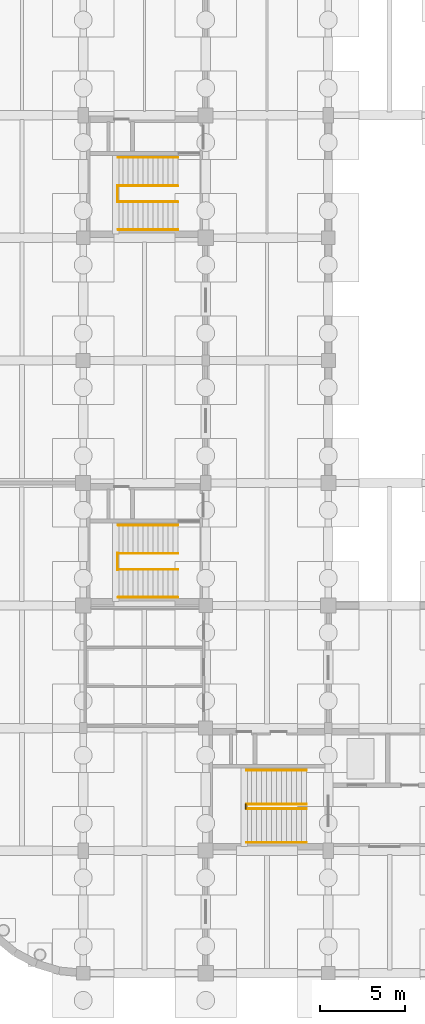
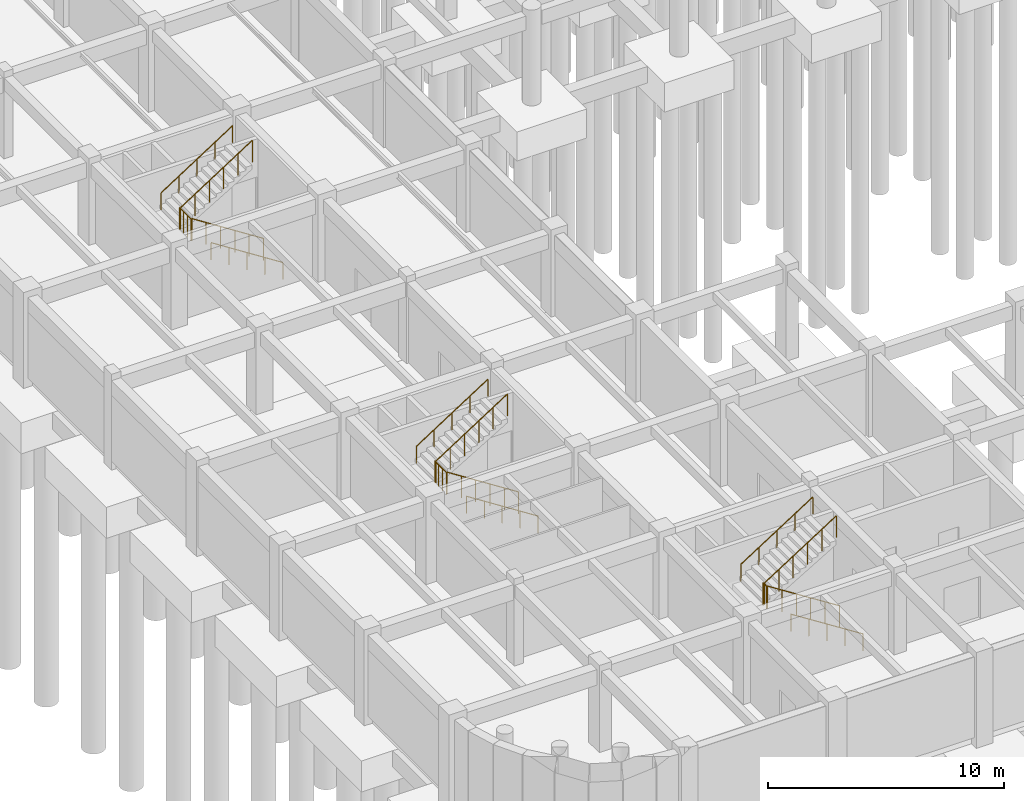
# One storey, part 44 of 47: 15 railings.
"""IFC4 building model written with IfcOpenShell, lengths in metres."""

from ifc_helpers import new_model, si_unit, direction, frame, origin, origin_2d, place, context, subcontext, project, spatial, circle, extrude, material, type_object, element, save


model = new_model("IFC4")

# Units and contexts
model_context = context("Model", 3, precision=1e-05, world=origin(), true_north=direction((0.0, 1.0)))
body_context = subcontext(model_context, "Body", "Model", "MODEL_VIEW")
ifc_project = project(units=[si_unit("LENGTHUNIT", "METRE"), si_unit("AREAUNIT", "SQUARE_METRE"), si_unit("VOLUMEUNIT", "CUBIC_METRE"), si_unit("PLANEANGLEUNIT", "RADIAN"), si_unit("MASSUNIT", "GRAM", prefix="KILO")], contexts=[model_context])

# Site, building, storey
site_placement = place(None, origin())
site = spatial("IfcSite", under=ifc_project, at=site_placement, CompositionType="ELEMENT")
building_placement = place(site_placement, origin())
building = spatial("IfcBuilding", under=site, at=building_placement, Name="Thalmaran Polytechnic", CompositionType="ELEMENT")
storey_placement = place(building_placement, frame((0.0, 0.0, -4.5)))
storey = spatial("IfcBuildingStorey", under=building, at=storey_placement, Name="B1", CompositionType="ELEMENT", Elevation=-4.5)

# Railings
ifc_material = material(Name="Stainless steel 316", Category="steel")
railing_type_1 = type_object("IfcRailingType", Name="RL-GR01", PredefinedType="GUARDRAIL", material=ifc_material)
railing_1_placement = place(storey_placement, frame((20.320068359375, 9.659912109375, 0.0)))
element("IfcRailing", 1, at=railing_1_placement, inside=storey, type_object=railing_type_1, Name="ST1 B1 Lower Flight Guardrail", PredefinedType="GUARDRAIL", context=body_context, shape_type="SweptSolid", body=[
    extrude(circle(Radius=0.02392578125, at=origin_2d()), frame((0.0, 0.0, 1.1259765625), z_axis=(-0.84257692701, 0.0, 0.53857601327), x_axis=(0.0, -1.0, 0.0)), (0.0, 0.0, 1.0), 4.177734375),
    extrude(circle(Radius=0.02099609375, at=origin_2d()), origin(), (0.0, 0.0, 1.0), 1.101806640625),
    extrude(circle(Radius=0.02099609375, at=origin_2d()), frame((-0.7041015625, 0.0, 0.449951171875)), (0.0, 0.0, 1.0), 1.101806640625),
    extrude(circle(Radius=0.02099609375, at=origin_2d()), frame((-1.407958984375, 0.0, 0.89990234375)), (0.0, 0.0, 1.0), 1.101806640625),
    extrude(circle(Radius=0.02099609375, at=origin_2d()), frame((-2.112060546875, 0.0, 1.35009765625)), (0.0, 0.0, 1.0), 1.101806640625),
    extrude(circle(Radius=0.02099609375, at=origin_2d()), frame((-2.81591796875, 0.0, 1.800048828125)), (0.0, 0.0, 1.0), 1.101806640625),
    extrude(circle(Radius=0.02099609375, at=origin_2d()), frame((-3.52001953125, 0.0, 2.25)), (0.0, 0.0, 1.0), 1.101806640625),
])
railing_2_placement = place(storey_placement, frame((16.760009765625, 9.639892578125, 2.25)))
element("IfcRailing", 2, at=railing_2_placement, inside=storey, type_object=railing_type_1, Name="ST1 B1 Half-Landing Well Guardrail", PredefinedType="GUARDRAIL", context=body_context, shape_type="SweptSolid", body=[
    extrude(circle(Radius=0.02392578125, at=origin_2d()), frame((0.0, 0.0, 1.1259765625), z_axis=(0.0, 1.0, 0.0), x_axis=(-1.0, 0.0, 0.0)), (0.0, 0.0, 1.0), 0.300048828125),
    extrude(circle(Radius=0.02099609375, at=origin_2d()), origin(), (0.0, 0.0, 1.0), 1.101806640625),
    extrude(circle(Radius=0.02099609375, at=origin_2d()), frame((0.0, 0.300048828125, 0.0)), (0.0, 0.0, 1.0), 1.101806640625),
])
railing_3_placement = place(storey_placement, frame((16.800048828125, 9.919921875, 2.25)))
element("IfcRailing", 3, at=railing_3_placement, inside=storey, type_object=railing_type_1, Name="ST1 B1 Upper Flight Guardrail", PredefinedType="GUARDRAIL", context=body_context, shape_type="SweptSolid", body=[
    extrude(circle(Radius=0.02392578125, at=origin_2d()), frame((0.0, 0.0, 1.1259765625), z_axis=(0.84257692701, 0.0, 0.53857601327), x_axis=(0.0, 1.0, 0.0)), (0.0, 0.0, 1.0), 4.177734375),
    extrude(circle(Radius=0.02099609375, at=origin_2d()), origin(), (0.0, 0.0, 1.0), 1.101806640625),
    extrude(circle(Radius=0.02099609375, at=origin_2d()), frame((0.7041015625, 0.0, 0.449951171875)), (0.0, 0.0, 1.0), 1.101806640625),
    extrude(circle(Radius=0.02099609375, at=origin_2d()), frame((1.407958984375, 0.0, 0.89990234375)), (0.0, 0.0, 1.0), 1.101806640625),
    extrude(circle(Radius=0.02099609375, at=origin_2d()), frame((2.112060546875, 0.0, 1.35009765625)), (0.0, 0.0, 1.0), 1.101806640625),
    extrude(circle(Radius=0.02099609375, at=origin_2d()), frame((2.81591796875, 0.0, 1.800048828125)), (0.0, 0.0, 1.0), 1.101806640625),
    extrude(circle(Radius=0.02099609375, at=origin_2d()), frame((3.52001953125, 0.0, 2.25)), (0.0, 0.0, 1.0), 1.101806640625),
])
railing_4_placement = place(storey_placement, frame((12.760009765625, 23.719970703125, 0.0)))
element("IfcRailing", 4, at=railing_4_placement, inside=storey, type_object=railing_type_1, Name="ST3 B1 Lower Flight Guardrail", PredefinedType="GUARDRAIL", context=body_context, shape_type="SweptSolid", body=[
    extrude(circle(Radius=0.02392578125, at=origin_2d()), frame((0.0, 0.0, 1.1259765625), z_axis=(-0.841178475377, 0.0, 0.540757591313), x_axis=(0.0, -1.0, 0.0)), (0.0, 0.0, 1.0), 4.160888671875),
    extrude(circle(Radius=0.02099609375, at=origin_2d()), origin(), (0.0, 0.0, 1.0), 1.101806640625),
    extrude(circle(Radius=0.02099609375, at=origin_2d()), frame((-0.699951171875, 0.0, 0.449951171875)), (0.0, 0.0, 1.0), 1.101806640625),
    extrude(circle(Radius=0.02099609375, at=origin_2d()), frame((-1.39990234375, 0.0, 0.89990234375)), (0.0, 0.0, 1.0), 1.101806640625),
    extrude(circle(Radius=0.02099609375, at=origin_2d()), frame((-2.10009765625, 0.0, 1.35009765625)), (0.0, 0.0, 1.0), 1.101806640625),
    extrude(circle(Radius=0.02099609375, at=origin_2d()), frame((-2.800048828125, 0.0, 1.800048828125)), (0.0, 0.0, 1.0), 1.101806640625),
    extrude(circle(Radius=0.02099609375, at=origin_2d()), frame((-3.5, 0.0, 2.25)), (0.0, 0.0, 1.0), 1.101806640625),
])
railing_5_placement = place(storey_placement, frame((9.219970703125, 23.699951171875, 2.25)))
element("IfcRailing", 5, at=railing_5_placement, inside=storey, type_object=railing_type_1, Name="ST3 B1 Half-Landing Well Guardrail", PredefinedType="GUARDRAIL", context=body_context, shape_type="SweptSolid", body=[
    extrude(circle(Radius=0.02392578125, at=origin_2d()), frame((0.0, 0.0, 1.1259765625), z_axis=(0.0, 1.0, 0.0), x_axis=(-1.0, 0.0, 0.0)), (0.0, 0.0, 1.0), 0.97998046875),
    extrude(circle(Radius=0.02099609375, at=origin_2d()), origin(), (0.0, 0.0, 1.0), 1.101806640625),
    extrude(circle(Radius=0.02099609375, at=origin_2d()), frame((0.0, 0.32666015625, 0.0)), (0.0, 0.0, 1.0), 1.101806640625),
    extrude(circle(Radius=0.02099609375, at=origin_2d()), frame((0.0, 0.6533203125, 0.0)), (0.0, 0.0, 1.0), 1.101806640625),
    extrude(circle(Radius=0.02099609375, at=origin_2d()), frame((0.0, 0.97998046875, 0.0)), (0.0, 0.0, 1.0), 1.101806640625),
])
railing_6_placement = place(storey_placement, frame((9.260009765625, 24.659912109375, 2.25)))
element("IfcRailing", 6, at=railing_6_placement, inside=storey, type_object=railing_type_1, Name="ST3 B1 Upper Flight Guardrail", PredefinedType="GUARDRAIL", context=body_context, shape_type="SweptSolid", body=[
    extrude(circle(Radius=0.02392578125, at=origin_2d()), frame((0.0, 0.0, 1.1259765625), z_axis=(0.841178475377, 0.0, 0.540757591313), x_axis=(0.0, 1.0, 0.0)), (0.0, 0.0, 1.0), 4.160888671875),
    extrude(circle(Radius=0.02099609375, at=origin_2d()), origin(), (0.0, 0.0, 1.0), 1.101806640625),
    extrude(circle(Radius=0.02099609375, at=origin_2d()), frame((0.699951171875, 0.0, 0.449951171875)), (0.0, 0.0, 1.0), 1.101806640625),
    extrude(circle(Radius=0.02099609375, at=origin_2d()), frame((1.39990234375, 0.0, 0.89990234375)), (0.0, 0.0, 1.0), 1.101806640625),
    extrude(circle(Radius=0.02099609375, at=origin_2d()), frame((2.10009765625, 0.0, 1.35009765625)), (0.0, 0.0, 1.0), 1.101806640625),
    extrude(circle(Radius=0.02099609375, at=origin_2d()), frame((2.800048828125, 0.0, 1.800048828125)), (0.0, 0.0, 1.0), 1.101806640625),
    extrude(circle(Radius=0.02099609375, at=origin_2d()), frame((3.5, 0.0, 2.25)), (0.0, 0.0, 1.0), 1.101806640625),
])
railing_7_placement = place(storey_placement, frame((12.760009765625, 45.320068359375, 0.0)))
element("IfcRailing", 7, at=railing_7_placement, inside=storey, type_object=railing_type_1, Name="ST4 B1 Lower Flight Guardrail", PredefinedType="GUARDRAIL", context=body_context, shape_type="SweptSolid", body=[
    extrude(circle(Radius=0.02392578125, at=origin_2d()), frame((0.0, 0.0, 1.1259765625), z_axis=(-0.841178475377, 0.0, 0.540757591313), x_axis=(0.0, -1.0, 0.0)), (0.0, 0.0, 1.0), 4.160888671875),
    extrude(circle(Radius=0.02099609375, at=origin_2d()), origin(), (0.0, 0.0, 1.0), 1.101806640625),
    extrude(circle(Radius=0.02099609375, at=origin_2d()), frame((-0.699951171875, 0.0, 0.449951171875)), (0.0, 0.0, 1.0), 1.101806640625),
    extrude(circle(Radius=0.02099609375, at=origin_2d()), frame((-1.39990234375, 0.0, 0.89990234375)), (0.0, 0.0, 1.0), 1.101806640625),
    extrude(circle(Radius=0.02099609375, at=origin_2d()), frame((-2.10009765625, 0.0, 1.35009765625)), (0.0, 0.0, 1.0), 1.101806640625),
    extrude(circle(Radius=0.02099609375, at=origin_2d()), frame((-2.800048828125, 0.0, 1.800048828125)), (0.0, 0.0, 1.0), 1.101806640625),
    extrude(circle(Radius=0.02099609375, at=origin_2d()), frame((-3.5, 0.0, 2.25)), (0.0, 0.0, 1.0), 1.101806640625),
])
railing_8_placement = place(storey_placement, frame((9.219970703125, 45.300048828125, 2.25)))
element("IfcRailing", 8, at=railing_8_placement, inside=storey, type_object=railing_type_1, Name="ST4 B1 Half-Landing Well Guardrail", PredefinedType="GUARDRAIL", context=body_context, shape_type="SweptSolid", body=[
    extrude(circle(Radius=0.02392578125, at=origin_2d()), frame((0.0, 0.0, 1.1259765625), z_axis=(0.0, 1.0, 0.0), x_axis=(-1.0, 0.0, 0.0)), (0.0, 0.0, 1.0), 0.97998046875),
    extrude(circle(Radius=0.02099609375, at=origin_2d()), origin(), (0.0, 0.0, 1.0), 1.101806640625),
    extrude(circle(Radius=0.02099609375, at=origin_2d()), frame((0.0, 0.32666015625, 0.0)), (0.0, 0.0, 1.0), 1.101806640625),
    extrude(circle(Radius=0.02099609375, at=origin_2d()), frame((0.0, 0.6533203125, 0.0)), (0.0, 0.0, 1.0), 1.101806640625),
    extrude(circle(Radius=0.02099609375, at=origin_2d()), frame((0.0, 0.97998046875, 0.0)), (0.0, 0.0, 1.0), 1.101806640625),
])
railing_9_placement = place(storey_placement, frame((9.260009765625, 46.260009765625, 2.25)))
element("IfcRailing", 9, at=railing_9_placement, inside=storey, type_object=railing_type_1, Name="ST4 B1 Upper Flight Guardrail", PredefinedType="GUARDRAIL", context=body_context, shape_type="SweptSolid", body=[
    extrude(circle(Radius=0.02392578125, at=origin_2d()), frame((0.0, 0.0, 1.1259765625), z_axis=(0.841178475377, 0.0, 0.540757591313), x_axis=(0.0, 1.0, 0.0)), (0.0, 0.0, 1.0), 4.160888671875),
    extrude(circle(Radius=0.02099609375, at=origin_2d()), origin(), (0.0, 0.0, 1.0), 1.101806640625),
    extrude(circle(Radius=0.02099609375, at=origin_2d()), frame((0.699951171875, 0.0, 0.449951171875)), (0.0, 0.0, 1.0), 1.101806640625),
    extrude(circle(Radius=0.02099609375, at=origin_2d()), frame((1.39990234375, 0.0, 0.89990234375)), (0.0, 0.0, 1.0), 1.101806640625),
    extrude(circle(Radius=0.02099609375, at=origin_2d()), frame((2.10009765625, 0.0, 1.35009765625)), (0.0, 0.0, 1.0), 1.101806640625),
    extrude(circle(Radius=0.02099609375, at=origin_2d()), frame((2.800048828125, 0.0, 1.800048828125)), (0.0, 0.0, 1.0), 1.101806640625),
    extrude(circle(Radius=0.02099609375, at=origin_2d()), frame((3.5, 0.0, 2.25)), (0.0, 0.0, 1.0), 1.101806640625),
])
railing_type_2 = type_object("IfcRailingType", Name="RL-HR01", PredefinedType="HANDRAIL", material=ifc_material)
railing_10_placement = place(storey_placement, frame((20.320068359375, 7.679931640625, 0.0)))
element("IfcRailing", 10, at=railing_10_placement, inside=storey, type_object=railing_type_2, Name="ST1 B1 Flight 1 Handrail", PredefinedType="HANDRAIL", context=body_context, shape_type="SweptSolid", body=[
    extrude(circle(Radius=0.02392578125, at=origin_2d()), frame((0.0, 0.0, 0.8759765625), z_axis=(-0.84257692701, 0.0, 0.53857601327), x_axis=(0.0, -1.0, 0.0)), (0.0, 0.0, 1.0), 4.177734375),
    extrude(circle(Radius=0.02099609375, at=origin_2d()), origin(), (0.0, 0.0, 1.0), 0.851806640625),
    extrude(circle(Radius=0.02099609375, at=origin_2d()), frame((-0.8798828125, 0.0, 0.5625)), (0.0, 0.0, 1.0), 0.851806640625),
    extrude(circle(Radius=0.02099609375, at=origin_2d()), frame((-1.760009765625, 0.0, 1.125)), (0.0, 0.0, 1.0), 0.851806640625),
    extrude(circle(Radius=0.02099609375, at=origin_2d()), frame((-2.64013671875, 0.0, 1.6875)), (0.0, 0.0, 1.0), 0.851806640625),
    extrude(circle(Radius=0.02099609375, at=origin_2d()), frame((-3.52001953125, 0.0, 2.25)), (0.0, 0.0, 1.0), 0.851806640625),
])
railing_11_placement = place(storey_placement, frame((16.800048828125, 11.919921875, 2.25)))
element("IfcRailing", 11, at=railing_11_placement, inside=storey, type_object=railing_type_2, Name="ST1 B1 Flight 2 Handrail", PredefinedType="HANDRAIL", context=body_context, shape_type="SweptSolid", body=[
    extrude(circle(Radius=0.02392578125, at=origin_2d()), frame((0.0, 0.0, 0.8759765625), z_axis=(0.84257692701, 0.0, 0.53857601327), x_axis=(0.0, 1.0, 0.0)), (0.0, 0.0, 1.0), 4.177734375),
    extrude(circle(Radius=0.02099609375, at=origin_2d()), origin(), (0.0, 0.0, 1.0), 0.851806640625),
    extrude(circle(Radius=0.02099609375, at=origin_2d()), frame((0.8798828125, 0.0, 0.5625)), (0.0, 0.0, 1.0), 0.851806640625),
    extrude(circle(Radius=0.02099609375, at=origin_2d()), frame((1.760009765625, 0.0, 1.125)), (0.0, 0.0, 1.0), 0.851806640625),
    extrude(circle(Radius=0.02099609375, at=origin_2d()), frame((2.64013671875, 0.0, 1.6875)), (0.0, 0.0, 1.0), 0.851806640625),
    extrude(circle(Radius=0.02099609375, at=origin_2d()), frame((3.52001953125, 0.0, 2.25)), (0.0, 0.0, 1.0), 0.851806640625),
])
railing_12_placement = place(storey_placement, frame((12.760009765625, 22.080078125, 0.0)))
element("IfcRailing", 12, at=railing_12_placement, inside=storey, type_object=railing_type_2, Name="ST3 B1 Flight 1 Handrail", PredefinedType="HANDRAIL", context=body_context, shape_type="SweptSolid", body=[
    extrude(circle(Radius=0.02392578125, at=origin_2d()), frame((0.0, 0.0, 0.8759765625), z_axis=(-0.841178475377, 0.0, 0.540757591313), x_axis=(0.0, -1.0, 0.0)), (0.0, 0.0, 1.0), 4.160888671875),
    extrude(circle(Radius=0.02099609375, at=origin_2d()), origin(), (0.0, 0.0, 1.0), 0.851806640625),
    extrude(circle(Radius=0.02099609375, at=origin_2d()), frame((-0.875, 0.0, 0.5625)), (0.0, 0.0, 1.0), 0.851806640625),
    extrude(circle(Radius=0.02099609375, at=origin_2d()), frame((-1.75, 0.0, 1.125)), (0.0, 0.0, 1.0), 0.851806640625),
    extrude(circle(Radius=0.02099609375, at=origin_2d()), frame((-2.625, 0.0, 1.6875)), (0.0, 0.0, 1.0), 0.851806640625),
    extrude(circle(Radius=0.02099609375, at=origin_2d()), frame((-3.5, 0.0, 2.25)), (0.0, 0.0, 1.0), 0.851806640625),
])
railing_13_placement = place(storey_placement, frame((9.260009765625, 26.320068359375, 2.25)))
element("IfcRailing", 13, at=railing_13_placement, inside=storey, type_object=railing_type_2, Name="ST3 B1 Flight 2 Handrail", PredefinedType="HANDRAIL", context=body_context, shape_type="SweptSolid", body=[
    extrude(circle(Radius=0.02392578125, at=origin_2d()), frame((0.0, 0.0, 0.8759765625), z_axis=(0.841178475377, 0.0, 0.540757591313), x_axis=(0.0, 1.0, 0.0)), (0.0, 0.0, 1.0), 4.160888671875),
    extrude(circle(Radius=0.02099609375, at=origin_2d()), origin(), (0.0, 0.0, 1.0), 0.851806640625),
    extrude(circle(Radius=0.02099609375, at=origin_2d()), frame((0.875, 0.0, 0.5625)), (0.0, 0.0, 1.0), 0.851806640625),
    extrude(circle(Radius=0.02099609375, at=origin_2d()), frame((1.75, 0.0, 1.125)), (0.0, 0.0, 1.0), 0.851806640625),
    extrude(circle(Radius=0.02099609375, at=origin_2d()), frame((2.625, 0.0, 1.6875)), (0.0, 0.0, 1.0), 0.851806640625),
    extrude(circle(Radius=0.02099609375, at=origin_2d()), frame((3.5, 0.0, 2.25)), (0.0, 0.0, 1.0), 0.851806640625),
])
railing_14_placement = place(storey_placement, frame((12.760009765625, 43.679931640625, 0.0)))
element("IfcRailing", 14, at=railing_14_placement, inside=storey, type_object=railing_type_2, Name="ST4 B1 Flight 1 Handrail", PredefinedType="HANDRAIL", context=body_context, shape_type="SweptSolid", body=[
    extrude(circle(Radius=0.02392578125, at=origin_2d()), frame((0.0, 0.0, 0.8759765625), z_axis=(-0.841178475377, 0.0, 0.540757591313), x_axis=(0.0, -1.0, 0.0)), (0.0, 0.0, 1.0), 4.160888671875),
    extrude(circle(Radius=0.02099609375, at=origin_2d()), origin(), (0.0, 0.0, 1.0), 0.851806640625),
    extrude(circle(Radius=0.02099609375, at=origin_2d()), frame((-0.875, 0.0, 0.5625)), (0.0, 0.0, 1.0), 0.851806640625),
    extrude(circle(Radius=0.02099609375, at=origin_2d()), frame((-1.75, 0.0, 1.125)), (0.0, 0.0, 1.0), 0.851806640625),
    extrude(circle(Radius=0.02099609375, at=origin_2d()), frame((-2.625, 0.0, 1.6875)), (0.0, 0.0, 1.0), 0.851806640625),
    extrude(circle(Radius=0.02099609375, at=origin_2d()), frame((-3.5, 0.0, 2.25)), (0.0, 0.0, 1.0), 0.851806640625),
])
railing_15_placement = place(storey_placement, frame((9.260009765625, 47.919921875, 2.25)))
element("IfcRailing", 15, at=railing_15_placement, inside=storey, type_object=railing_type_2, Name="ST4 B1 Flight 2 Handrail", PredefinedType="HANDRAIL", context=body_context, shape_type="SweptSolid", body=[
    extrude(circle(Radius=0.02392578125, at=origin_2d()), frame((0.0, 0.0, 0.8759765625), z_axis=(0.841178475377, 0.0, 0.540757591313), x_axis=(0.0, 1.0, 0.0)), (0.0, 0.0, 1.0), 4.160888671875),
    extrude(circle(Radius=0.02099609375, at=origin_2d()), origin(), (0.0, 0.0, 1.0), 0.851806640625),
    extrude(circle(Radius=0.02099609375, at=origin_2d()), frame((0.875, 0.0, 0.5625)), (0.0, 0.0, 1.0), 0.851806640625),
    extrude(circle(Radius=0.02099609375, at=origin_2d()), frame((1.75, 0.0, 1.125)), (0.0, 0.0, 1.0), 0.851806640625),
    extrude(circle(Radius=0.02099609375, at=origin_2d()), frame((2.625, 0.0, 1.6875)), (0.0, 0.0, 1.0), 0.851806640625),
    extrude(circle(Radius=0.02099609375, at=origin_2d()), frame((3.5, 0.0, 2.25)), (0.0, 0.0, 1.0), 0.851806640625),
])

save(model, "model.ifc")
